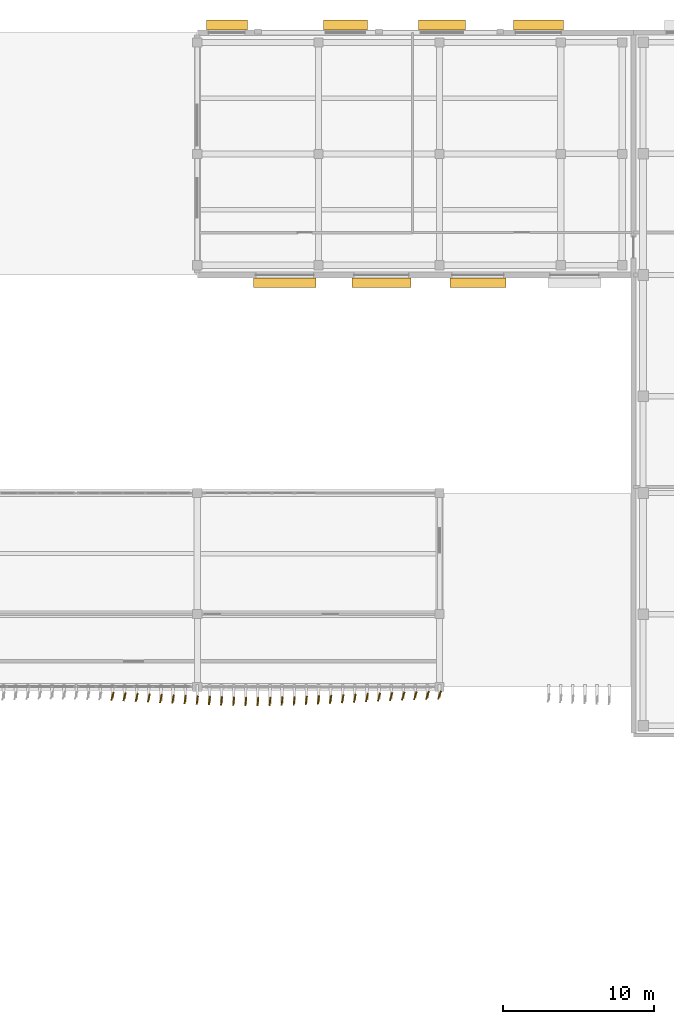
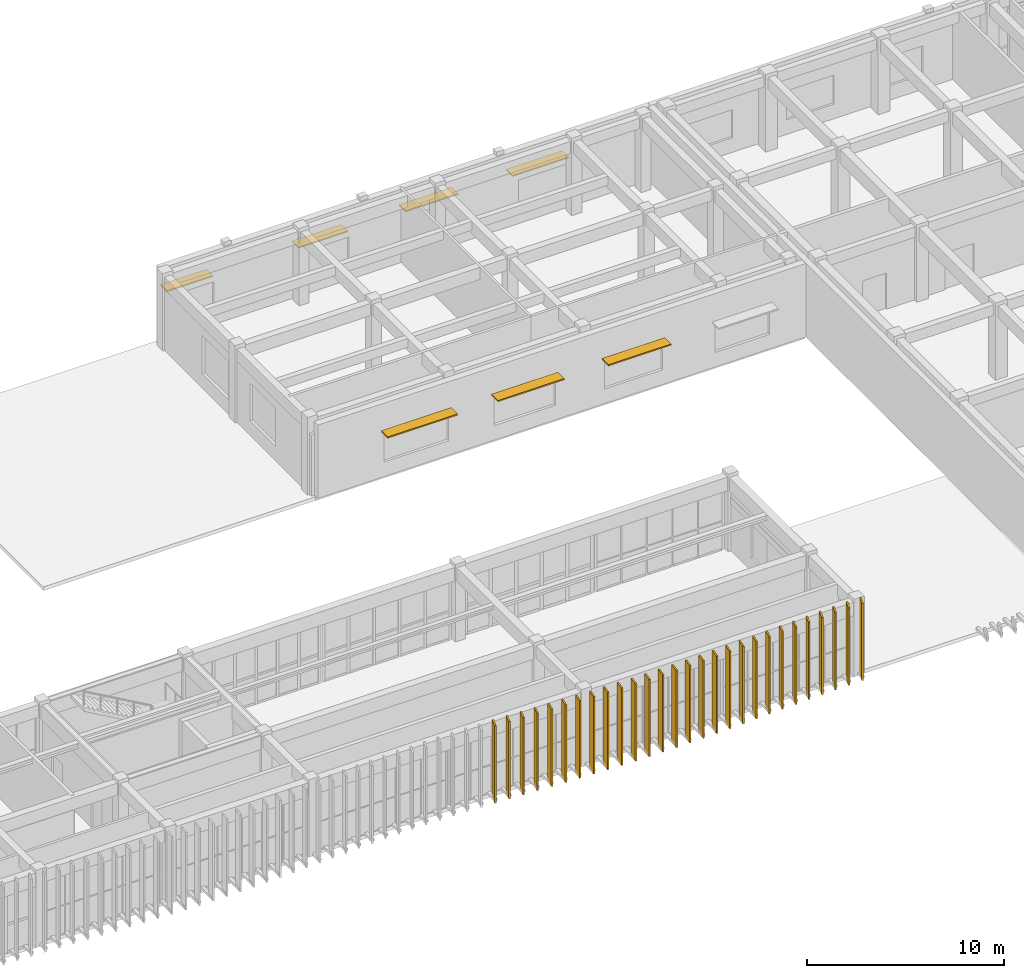
# One storey, part 70 of 76: 28 coverings, 7 shading devices.
"""IFC4 building model written with IfcOpenShell, lengths in metres."""

from ifc_helpers import new_model, si_unit, direction, frame, origin, origin_2d, place, context, subcontext, project, spatial, rectangle, extrude, material, layer, layer_set, type_object, element, save


model = new_model("IFC4")

# Units and contexts
model_context = context("Model", 3, precision=1e-05, world=origin(), true_north=direction((0.0, 1.0)))
body_context = subcontext(model_context, "Body", "Model", "MODEL_VIEW")
ifc_project = project(units=[si_unit("LENGTHUNIT", "METRE"), si_unit("AREAUNIT", "SQUARE_METRE"), si_unit("VOLUMEUNIT", "CUBIC_METRE"), si_unit("PLANEANGLEUNIT", "RADIAN"), si_unit("MASSUNIT", "GRAM", prefix="KILO")], contexts=[model_context])

# Site, building, storey
site_placement = place(None, origin())
site = spatial("IfcSite", under=ifc_project, at=site_placement, CompositionType="ELEMENT")
building_placement = place(site_placement, origin())
building = spatial("IfcBuilding", under=site, at=building_placement, Name="Cinchona Park Media Centre", CompositionType="ELEMENT")
storey_placement = place(building_placement, frame((0.0, 0.0, 15.60009765625)))
storey = spatial("IfcBuildingStorey", under=building, at=storey_placement, Name="L03", CompositionType="ELEMENT", Elevation=15.60009765625)

# Coverings
ifc_material_1 = material(Name="Anodised Storm-Resistant Aluminium Fin", Category="aluminium")
ifc_layer = layer(ifc_material_1, 0.090087890625)
ifc_layer_set = layer_set([ifc_layer], Name="Anodised Storm-Resistant Aluminium Fin")
covering_type = type_object("IfcCoveringType", Name="CLADDING-FIN01", PredefinedType="CLADDING", material=ifc_layer_set)
for number, where, z_axis, x_axis, name in (
    (1, (105.199951171875, 74.179931640625, 0.0), (0.0, 0.0, 1.0), (0.297874744877, 0.954604963513, 0.0), "Twisting Vertical Facade Fin L03"),
    (2, (106.0, 74.14599609375, 0.0), (0.0, 0.0, 1.0), (0.279158704655, 0.960244977917, 0.0), "Twisting Vertical Facade Fin L03"),
    (3, (106.800048828125, 74.10888671875, 0.0), (0.0, 0.0, 1.0), (0.258313252067, 0.966061211211, 0.0), "Twisting Vertical Facade Fin L03"),
    (4, (107.60009765625, 74.070068359375, 0.0), (0.0, 0.0, 1.0), (0.236329411694, 0.971672994977, 0.0), "Twisting Vertical Facade Fin L03"),
    (5, (108.39990234375, 74.030029296875, 0.0), (0.0, 0.0, 1.0), (0.213541936916, 0.97693389806, 0.0), "Twisting Vertical Facade Fin L03"),
    (6, (109.199951171875, 73.990966796875, 0.0), (0.0, 0.0, 1.0), (0.191322947989, 0.981527141537, 0.0), "Twisting Vertical Facade Fin L03"),
    (7, (110.0, 73.9541015625, 0.0), (0.0, 0.0, 1.0), (0.170037510451, 0.985437590637, 0.0), "Twisting Vertical Facade Fin L03"),
    (8, (110.800048828125, 73.919921875, 0.0), (0.0, 0.0, 1.0), (0.150743225348, 0.988572951285, 0.0), "Twisting Vertical Facade Fin L03"),
    (9, (111.60009765625, 73.89111328125, 0.0), (0.0, 0.0, 1.0), (0.134159142573, 0.990959799621, 0.0), "Twisting Vertical Facade Fin L03"),
    (10, (112.39990234375, 73.867919921875, 0.0), (0.0, 0.0, 1.0), (0.120829884873, 0.992673228672, 0.0), "Twisting Vertical Facade Fin L03"),
    (11, (113.199951171875, 73.85205078125, 0.0), (0.0, 0.0, 1.0), (0.111122034978, 0.993806768614, 0.0), "Twisting Vertical Facade Fin L03"),
    (12, (114.0, 73.842041015625, 0.0), (0.0, 0.0, 1.0), (0.105743422663, 0.994393447567, 0.0), "Twisting Vertical Facade Fin L03"),
    (13, (114.800048828125, 73.840087890625, 0.0), (0.0, 0.0, 1.0), (0.10470203849, 0.994503636562, 0.0), "Twisting Vertical Facade Fin L03"),
    (14, (115.60009765625, 73.845947265625, 0.0), (0.0, 0.0, 1.0), (0.107999355706, 0.994150963972, 0.0), "Twisting Vertical Facade Fin L03"),
    (15, (116.39990234375, 73.85888671875, 0.0), (0.0, 0.0, 1.0), (0.115457263478, 0.993312448482, 0.0), "Twisting Vertical Facade Fin L03"),
    (16, (117.199951171875, 73.87890625, 0.0), (0.0, 0.0, 1.0), (0.127064608601, 0.99189444259, 0.0), "Twisting Vertical Facade Fin L03"),
    (17, (118.0, 73.905029296875, 0.0), (0.0, 0.0, 1.0), (0.142110668555, 0.989850775563, 0.0), "Twisting Vertical Facade Fin L03"),
    (18, (118.800048828125, 73.93603515625, 0.0), (0.0, 0.0, 1.0), (0.160225753504, 0.987080395872, 0.0), "Twisting Vertical Facade Fin L03"),
    (19, (119.60009765625, 73.971923828125, 0.0), (0.0, 0.0, 1.0), (0.180519145251, 0.983571470813, 0.0), "Twisting Vertical Facade Fin L03"),
    (20, (120.39990234375, 74.010009765625, 0.0), (0.0, 0.0, 1.0), (0.202445469766, 0.979293537082, 0.0), "Twisting Vertical Facade Fin L03"),
    (21, (121.199951171875, 74.050048828125, 0.0), (0.0, 0.0, 1.0), (0.224951054344, 0.974370064785, 0.0), "Twisting Vertical Facade Fin L03"),
    (22, (122.0, 74.090087890625, 0.0), (0.0, 0.0, 1.0), (0.247337247968, 0.968929453452, 0.0), "Twisting Vertical Facade Fin L03"),
    (23, (122.800048828125, 74.1279296875, 0.0), (0.0, 0.0, 1.0), (0.268919820615, 0.963162566798, 0.0), "Twisting Vertical Facade Fin L03"),
    (24, (123.60009765625, 74.1640625, 0.0), (0.0, 0.0, 1.0), (0.288697611798, 0.957420330337, 0.0), "Twisting Vertical Facade Fin L03"),
    (25, (124.39990234375, 74.195068359375, 0.0), (0.0, 0.0, 1.0), (0.306193796821, 0.951969200546, 0.0), "Twisting Vertical Facade Fin L03"),
    (26, (125.199951171875, 74.220947265625, 0.0), (0.0, 0.0, 1.0), (0.320612990586, 0.947210277746, 0.0), "Twisting Vertical Facade Fin L03"),
    (27, (126.0, 74.240966796875, 0.0), (0.0, 0.0, 1.0), (0.331667216146, 0.943396447807, 0.0), "Twisting Vertical Facade Fin L03"),
    (28, (126.800048828125, 74.25390625, 0.0), (0.0, 0.0, 1.0), (0.338737920245, 0.940880768954, 0.0), "Twisting Vertical Facade Fin L03"),
):
    element("IfcCovering", number, at=place(storey_placement, frame(where, z_axis=z_axis, x_axis=x_axis)), inside=storey, type_object=covering_type, Name=name, PredefinedType="CLADDING", context=body_context, shape_type="SweptSolid", body=[
        extrude(rectangle(XDim=0.56005859375, YDim=0.090087890625, at=origin_2d()), origin(), (0.0, 0.0, 1.0), 4.800048828125),
    ])

# Shading devices
ifc_material_2 = material(Name="Anodised Aluminium Horizontal Brise-Soleil", Category="aluminium")
shading_device_type = type_object("IfcShadingDeviceType", Name="SHADING-SUN01", PredefinedType="AWNING", material=ifc_material_2)
shading_device_1_placement = place(storey_placement, frame((112.75, 118.510009765625, 2.669921875), z_axis=(0.0, 0.0, 1.0), x_axis=(1.0, 0.0, 0.0)))
element("IfcShadingDevice", 29, at=shading_device_1_placement, inside=storey, type_object=shading_device_type, Name="Horizontal Sunshade SHD02 L03", PredefinedType="AWNING", context=body_context, shape_type="SweptSolid", body=[
    extrude(rectangle(XDim=2.699951171875, YDim=0.64990234375, at=origin_2d()), origin(), (0.0, 0.0, 1.0), 0.080078125),
])
shading_device_2_placement = place(storey_placement, frame((120.574951171875, 118.510009765625, 2.669921875), z_axis=(0.0, 0.0, 1.0), x_axis=(1.0, 0.0, 0.0)))
element("IfcShadingDevice", 30, at=shading_device_2_placement, inside=storey, type_object=shading_device_type, Name="Horizontal Sunshade SHD02 L03", PredefinedType="AWNING", context=body_context, shape_type="SweptSolid", body=[
    extrude(rectangle(XDim=2.89990234375, YDim=0.64990234375, at=origin_2d()), origin(), (0.0, 0.0, 1.0), 0.080078125),
])
shading_device_3_placement = place(storey_placement, frame((126.949951171875, 118.510009765625, 2.719970703125), z_axis=(0.0, 0.0, 1.0), x_axis=(1.0, 0.0, 0.0)))
element("IfcShadingDevice", 31, at=shading_device_3_placement, inside=storey, type_object=shading_device_type, Name="Horizontal Sunshade SHD02 L03", PredefinedType="AWNING", context=body_context, shape_type="SweptSolid", body=[
    extrude(rectangle(XDim=3.10009765625, YDim=0.64990234375, at=origin_2d()), origin(), (0.0, 0.0, 1.0), 0.080078125),
])
shading_device_4_placement = place(storey_placement, frame((133.324951171875, 118.510009765625, 2.719970703125), z_axis=(0.0, 0.0, 1.0), x_axis=(1.0, 0.0, 0.0)))
element("IfcShadingDevice", 32, at=shading_device_4_placement, inside=storey, type_object=shading_device_type, Name="Horizontal Sunshade SHD02 L03", PredefinedType="AWNING", context=body_context, shape_type="SweptSolid", body=[
    extrude(rectangle(XDim=3.300048828125, YDim=0.64990234375, at=origin_2d()), origin(), (0.0, 0.0, 1.0), 0.080078125),
])
shading_device_5_placement = place(storey_placement, frame((129.324951171875, 101.489990234375, 2.769775390625), z_axis=(0.0, 0.0, 1.0), x_axis=(-1.0, 0.0, 0.0)))
element("IfcShadingDevice", 33, at=shading_device_5_placement, inside=storey, type_object=shading_device_type, Name="Horizontal Sunshade SHD02 L03", PredefinedType="AWNING", context=body_context, shape_type="SweptSolid", body=[
    extrude(rectangle(XDim=3.699951171875, YDim=0.64990234375, at=origin_2d()), origin(), (0.0, 0.0, 1.0), 0.080078125),
])
shading_device_6_placement = place(storey_placement, frame((122.949951171875, 101.489990234375, 2.81982421875), z_axis=(0.0, 0.0, 1.0), x_axis=(-1.0, 0.0, 0.0)))
element("IfcShadingDevice", 34, at=shading_device_6_placement, inside=storey, type_object=shading_device_type, Name="Horizontal Sunshade SHD02 L03", PredefinedType="AWNING", context=body_context, shape_type="SweptSolid", body=[
    extrude(rectangle(XDim=3.89990234375, YDim=0.64990234375, at=origin_2d()), origin(), (0.0, 0.0, 1.0), 0.080078125),
])
shading_device_7_placement = place(storey_placement, frame((116.574951171875, 101.489990234375, 2.81982421875), z_axis=(0.0, 0.0, 1.0), x_axis=(-1.0, 0.0, 0.0)))
element("IfcShadingDevice", 35, at=shading_device_7_placement, inside=storey, type_object=shading_device_type, Name="Horizontal Sunshade SHD02 L03", PredefinedType="AWNING", context=body_context, shape_type="SweptSolid", body=[
    extrude(rectangle(XDim=4.10009765625, YDim=0.64990234375, at=origin_2d()), origin(), (0.0, 0.0, 1.0), 0.080078125),
])

save(model, "model.ifc")
